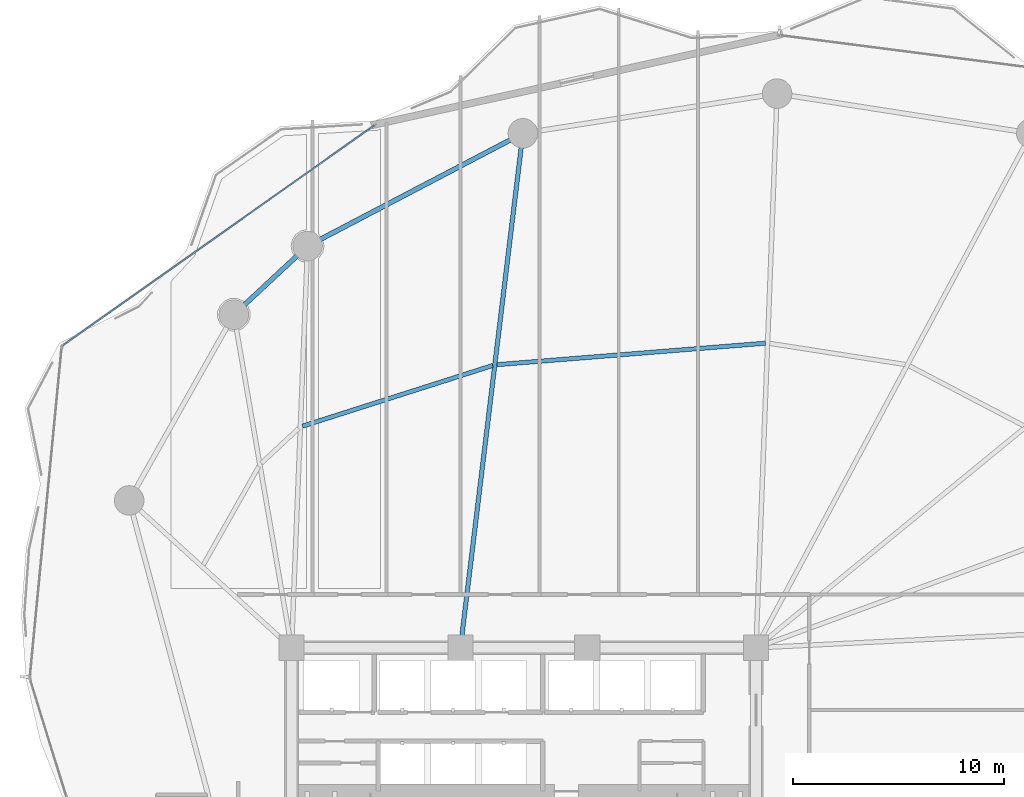
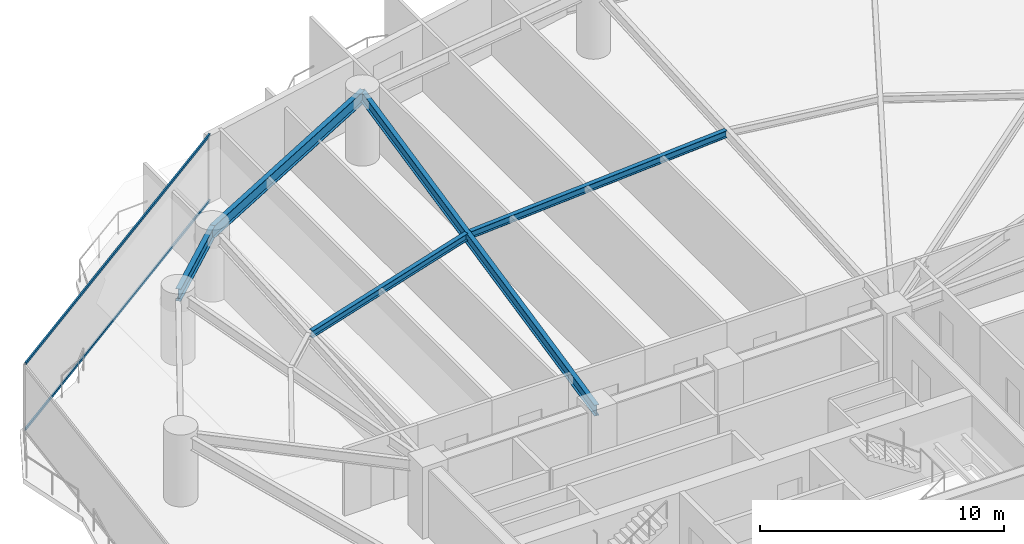
# One storey, part 16 of 31: 5 beams, 2 members, 1 element without a shape of its own.
"""IFC4 building model written with IfcOpenShell, lengths in metres."""

from ifc_helpers import new_model, si_unit, direction, frame, origin, origin_2d, place, context, subcontext, project, spatial, hollow_rectangle, i_section, extrude, material, layer, layer_set, material_profile, profile_set, type_object, element, aggregate, save


model = new_model("IFC4")

# Units and contexts
model_context = context("Model", 3, precision=1e-05, world=origin(), true_north=direction((0.0, 1.0)))
body_context = subcontext(model_context, "Body", "Model", "MODEL_VIEW")
ifc_project = project(units=[si_unit("LENGTHUNIT", "METRE"), si_unit("AREAUNIT", "SQUARE_METRE"), si_unit("VOLUMEUNIT", "CUBIC_METRE"), si_unit("PLANEANGLEUNIT", "RADIAN"), si_unit("MASSUNIT", "GRAM", prefix="KILO")], contexts=[model_context])

# Site, building, storey
site_placement = place(None, origin())
site = spatial("IfcSite", under=ifc_project, at=site_placement, CompositionType="ELEMENT")
building_placement = place(site_placement, origin())
building = spatial("IfcBuilding", under=site, at=building_placement, Name="Kazevale Care Tower and Concert Hall", CompositionType="ELEMENT")
storey_placement = place(building_placement, frame((0.0, 0.0, 63.60009765625)))
storey = spatial("IfcBuildingStorey", under=building, at=storey_placement, Name="L16", CompositionType="ELEMENT", Elevation=63.60009765625)

# Curtain wall, members
ifc_material_1 = material(Name="Aluminium 6063-T6 and Low-E Glass", Category="aluminium")
ifc_layer = layer(ifc_material_1, 0.179931640625)
ifc_layer_set = layer_set([ifc_layer], Name="Aluminium 6063-T6 and Low-E Glass")
curtain_wall_type = type_object("IfcCurtainWallType", Name="Convex Recessed Sunroom Curtain Wall CW-3", PredefinedType="NOTDEFINED", material=ifc_layer_set)
curtain_wall_placement = place(storey_placement, origin())
curtain_wall = element("IfcCurtainWall", 1, at=curtain_wall_placement, inside=storey, type_object=curtain_wall_type, Name="cw:L16:f14", PredefinedType="NOTDEFINED")
ifc_material_2 = material(Name="Aluminium 6063-T6", Category="aluminium")
ifc_material_profile_1 = material_profile(ifc_material_2, hollow_rectangle(XDim=0.074951171875, YDim=0.1201171875, WallThickness=0.00390625, at=origin_2d()), Name="ALU75x120x4")
ifc_profile_set_1 = profile_set([ifc_material_profile_1], Name="Aluminium 6063-T6")
member_type = type_object("IfcMemberType", Name="CW-3 Transom ALU75x120x4", PredefinedType="USERDEFINED", material=ifc_profile_set_1)
member_1_placement = place(storey_placement, frame((11.182373046875, 50.729248046875, 0.037353515625), z_axis=(0.816794743967, 0.576928371835, 0.0), x_axis=(-0.576928371835, 0.816794743967, 0.0)))
member_1 = element("IfcMember", 2, at=member_1_placement, type_object=member_type, Name="CW-3 transom 1.1", ObjectType="TRANSOM", PredefinedType="USERDEFINED", context=body_context, shape_type="SweptSolid", body=[
    extrude(hollow_rectangle(XDim=0.074951171875, YDim=0.1201171875, WallThickness=0.00390625, at=origin_2d()), origin(), (0.0, 0.0, 1.0), 18.060302734375),
])
member_2_placement = place(storey_placement, frame((11.182373046875, 50.729248046875, 3.322509765625), z_axis=(0.816794743967, 0.576928371835, 0.0), x_axis=(-0.576928371835, 0.816794743967, 0.0)))
member_2 = element("IfcMember", 3, at=member_2_placement, type_object=member_type, Name="CW-3 transom 1.2", ObjectType="TRANSOM", PredefinedType="USERDEFINED", context=body_context, shape_type="SweptSolid", body=[
    extrude(hollow_rectangle(XDim=0.074951171875, YDim=0.1201171875, WallThickness=0.00390625, at=origin_2d()), origin(), (0.0, 0.0, 1.0), 18.060302734375),
])
aggregate(curtain_wall, [member_1, member_2])

# Beams
ifc_material_3 = material(Name="Steel ASTM A572 Gr 50", Category="steel")
ifc_material_profile_2 = material_profile(ifc_material_3, i_section(OverallWidth=0.2119140625, OverallDepth=0.5439453125, WebThickness=0.01318359375, FlangeThickness=0.021240234375, at=origin_2d()), Name="W530x123")
ifc_profile_set_2 = profile_set([ifc_material_profile_2], Name="Steel ASTM A572 Gr 50")
beam_type_1 = type_object("IfcBeamType", Name="Radial Floor Girder W530x123", PredefinedType="BEAM", material=ifc_profile_set_2)
beam_1_placement = place(storey_placement, frame((30.0, 36.39990234375, 3.087890625), z_axis=(0.120572526662, 0.9927045209, 0.0), x_axis=(-0.9927045209, 0.120572526662, 0.0)))
element("IfcBeam", 4, at=beam_1_placement, inside=storey, type_object=beam_type_1, Name="beam:L16:rad:06", PredefinedType="BEAM", context=body_context, shape_type="SweptSolid", body=[
    extrude(i_section(OverallWidth=0.2119140625, OverallDepth=0.5439453125, WebThickness=0.01318359375, FlangeThickness=0.021240234375, at=origin_2d()), origin(), (0.0, 0.0, 1.0), 24.54931640625),
])
ifc_material_profile_3 = material_profile(ifc_material_3, i_section(OverallWidth=0.22900390625, OverallDepth=0.612060546875, WebThickness=0.011962890625, FlangeThickness=0.01953125, at=origin_2d()), Name="W610x125")
ifc_profile_set_3 = profile_set([ifc_material_profile_3], Name="Steel ASTM A572 Gr 50")
beam_type_2 = type_object("IfcBeamType", Name="Ring Spandrel Beam W610x125", PredefinedType="SPANDREL", material=ifc_profile_set_3)
beam_2_placement = place(storey_placement, frame((32.9599609375, 60.77001953125, 3.053955078125), z_axis=(-0.885929466679, -0.463819986708, 0.0), x_axis=(0.463819986708, -0.885929466679, 0.0)))
element("IfcBeam", 5, at=beam_2_placement, inside=storey, type_object=beam_type_2, Name="beam:L16:ring:06", PredefinedType="SPANDREL", context=body_context, shape_type="SweptSolid", body=[
    extrude(i_section(OverallWidth=0.22900390625, OverallDepth=0.612060546875, WebThickness=0.011962890625, FlangeThickness=0.01953125, at=origin_2d()), origin(), (0.0, 0.0, 1.0), 11.51318359375),
])
beam_3_placement = place(storey_placement, frame((22.760009765625, 55.429931640625, 3.053955078125), z_axis=(-0.731820896228, -0.681497010884, 0.0), x_axis=(0.681497010884, -0.731820896228, 0.0)))
element("IfcBeam", 6, at=beam_3_placement, inside=storey, type_object=beam_type_2, Name="beam:L16:ring:07", PredefinedType="SPANDREL", context=body_context, shape_type="SweptSolid", body=[
    extrude(i_section(OverallWidth=0.22900390625, OverallDepth=0.612060546875, WebThickness=0.011962890625, FlangeThickness=0.01953125, at=origin_2d()), origin(), (0.0, 0.0, 1.0), 4.768798828125),
])
ifc_material_profile_4 = material_profile(ifc_material_3, i_section(OverallWidth=0.205078125, OverallDepth=0.35400390625, WebThickness=0.009521484375, FlangeThickness=0.016845703125, at=origin_2d()), Name="W360x79")
ifc_profile_set_4 = profile_set([ifc_material_profile_4], Name="Steel ASTM A572 Gr 50")
beam_type_3 = type_object("IfcBeamType", Name="Secondary Floor Joist W360x79", PredefinedType="JOIST", material=ifc_profile_set_4)
beam_4_placement = place(storey_placement, frame((44.445068359375, 50.8291015625, 3.182861328125), z_axis=(-0.996814548036, -0.079754353015, 0.0), x_axis=(0.079754353015, -0.996814548036, 0.0)))
element("IfcBeam", 7, at=beam_4_placement, inside=storey, type_object=beam_type_3, Name="beam:L16:joist:05", PredefinedType="JOIST", context=body_context, shape_type="SweptSolid", body=[
    extrude(i_section(OverallWidth=0.205078125, OverallDepth=0.35400390625, WebThickness=0.009521484375, FlangeThickness=0.016845703125, at=origin_2d()), origin(), (0.0, 0.0, 1.0), 12.752685546875),
])
beam_5_placement = place(storey_placement, frame((31.528076171875, 49.77197265625, 3.182861328125), z_axis=(-0.9527054955, -0.303895111584, 0.0), x_axis=(0.303895111584, -0.9527054955, 0.0)))
element("IfcBeam", 8, at=beam_5_placement, inside=storey, type_object=beam_type_3, Name="beam:L16:joist:06", PredefinedType="JOIST", context=body_context, shape_type="SweptSolid", body=[
    extrude(i_section(OverallWidth=0.205078125, OverallDepth=0.35400390625, WebThickness=0.009521484375, FlangeThickness=0.016845703125, at=origin_2d()), origin(), (0.0, 0.0, 1.0), 9.457275390625),
])

save(model, "model.ifc")
